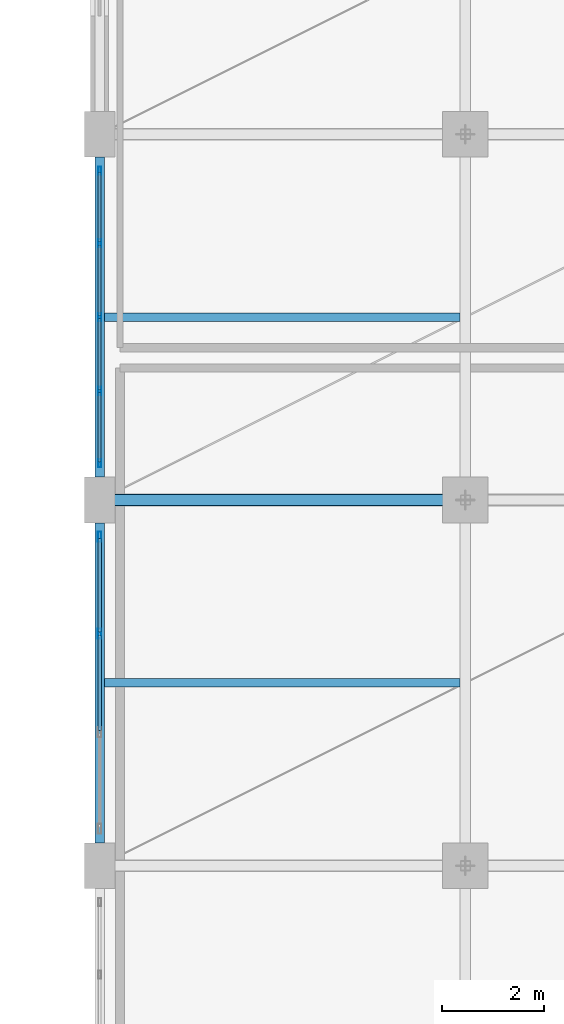
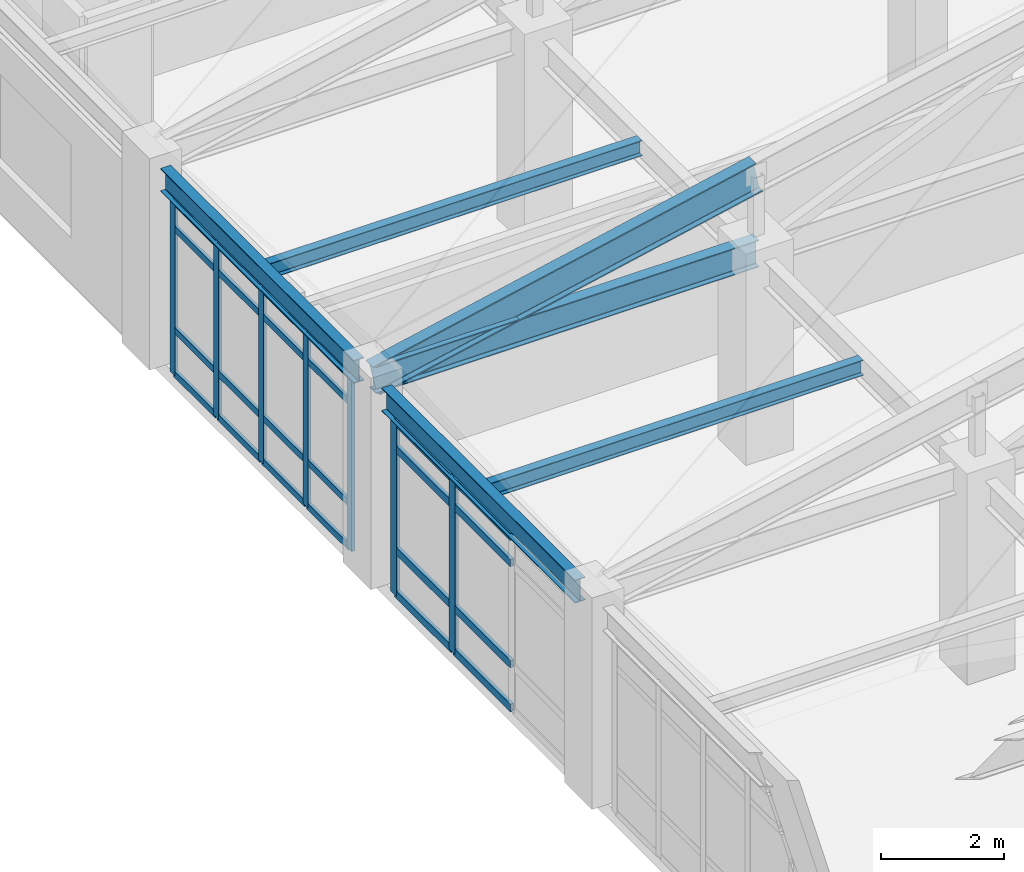
# One storey, part 31 of 113: 32 members, 5 beams, 2 elements without a shape of their own.
"""IFC4 building model written with IfcOpenShell, lengths in metres."""

import ifcopenshell
import ifcopenshell.guid

model = None  # the IFC model being written
_history = None  # IfcOwnerHistory: only IFC2X3 demands one
_inside = {}  # id of a spatial element -> (the spatial element, [elements in it])
_under = {}  # id of a project, library or spatial element -> (it, [spatial elements below it])
_declared = {}  # id of a project -> (the project, [libraries it declares])
_typed = {}  # id of a type object -> (the type object, [elements of that type])
_made_of = {}  # id of a material, layer set ... -> (it, [elements and type objects made of it])


def new_model(schema):
    """Start an empty IFC model of exactly this schema.

    Asked for "IFC4X3", IfcOpenShell would pick the latest addendum, in which some entities
    have other attributes; the version numbers below select the first issue.
    IFC2X3 requires an IfcOwnerHistory on every rooted entity: one is made here for all.
    """
    global model, _history
    if schema == "IFC4X3":
        model = ifcopenshell.file(schema_version=(4, 3, 0, 0))
    else:
        model = ifcopenshell.file(schema=schema)
    _inside.clear()
    _under.clear()
    _declared.clear()
    _typed.clear()
    _made_of.clear()
    _history = None
    if model.schema == "IFC2X3":
        org = make("IfcOrganization", Name="unknown")
        user = make(
            "IfcPersonAndOrganization",
            ThePerson=make("IfcPerson", FamilyName="unknown"),
            TheOrganization=org,
        )
        app = make(
            "IfcApplication",
            ApplicationDeveloper=org,
            Version="unknown",
            ApplicationFullName="unknown",
            ApplicationIdentifier="unknown",
        )
        _history = make(
            "IfcOwnerHistory",
            OwningUser=user,
            OwningApplication=app,
            ChangeAction="ADDED",
            CreationDate=0,
        )
    return model


def make(cls, **values):
    """One entity of the class cls with the attributes given. An attribute that is None is left unset."""
    return model.create_entity(
        cls, **{name: value for name, value in values.items() if value is not None}
    )


def rooted(cls, **values):
    """An entity with a GlobalId (a new one), such as an element, a storey or a relation."""
    return make(cls, GlobalId=ifcopenshell.guid.new(), OwnerHistory=_history, **values)


def si_unit(unit_type, name, prefix=None):
    """IfcSIUnit, for example si_unit("LENGTHUNIT", "METRE", prefix="MILLI")."""
    return make("IfcSIUnit", UnitType=unit_type, Prefix=prefix, Name=name)


def assignment(units):
    """IfcUnitAssignment: the units of a project."""
    return None if units is None else make("IfcUnitAssignment", Units=units)


def point(xyz):
    """IfcCartesianPoint."""
    return None if xyz is None else make("IfcCartesianPoint", Coordinates=xyz)


def direction(xyz):
    """IfcDirection."""
    return None if xyz is None else make("IfcDirection", DirectionRatios=xyz)


def frame(location, z_axis=None, x_axis=None):
    """IfcAxis2Placement3D, a coordinate frame: its origin and axes. An axis left out is left unset."""
    return make(
        "IfcAxis2Placement3D",
        Location=point(location),
        Axis=direction(z_axis),
        RefDirection=direction(x_axis),
    )


def frame_2d(location, x_axis=None):
    """IfcAxis2Placement2D, a coordinate frame in the plane: its origin and x axis."""
    return make(
        "IfcAxis2Placement2D", Location=point(location), RefDirection=direction(x_axis)
    )


def origin():
    """The frame at (0, 0, 0) with its axes left unset."""
    return frame((0.0, 0.0, 0.0))


def origin_2d():
    """The frame at (0, 0) in the plane with its x axis left unset."""
    return frame_2d((0.0, 0.0))


def place(relative_to, where):
    """IfcLocalPlacement: puts the frame where relative to a parent placement (None: the world)."""
    return make(
        "IfcLocalPlacement", PlacementRelTo=relative_to, RelativePlacement=where
    )


def context(
    kind, dimensions, precision=None, world=None, true_north=None, identifier=None
):
    """IfcGeometricRepresentationContext, for example the 3D "Model" context."""
    return make(
        "IfcGeometricRepresentationContext",
        ContextIdentifier=identifier,
        ContextType=kind,
        CoordinateSpaceDimension=dimensions,
        Precision=precision,
        WorldCoordinateSystem=world,
        TrueNorth=true_north,
    )


def subcontext(parent, identifier, kind, view, scale=None):
    """IfcGeometricRepresentationSubContext, for example "Body" below "Model"."""
    return make(
        "IfcGeometricRepresentationSubContext",
        ContextIdentifier=identifier,
        ContextType=kind,
        ParentContext=parent,
        TargetScale=scale,
        TargetView=view,
    )


def project(units=None, contexts=None):
    """IfcProject with its units and contexts."""
    return rooted(
        "IfcProject",
        Name="project",
        RepresentationContexts=contexts,
        UnitsInContext=assignment(units),
    )


def spatial(cls, under=None, at=None, **own):
    """A site, building, storey or space (cls), placed at a placement, below another one or the project."""
    s = rooted(cls, ObjectPlacement=at, **own)
    if under is not None:
        _under.setdefault(under.id(), (under, []))[1].append(s)
    return s


def profile(cls, at=None, kind="AREA", **sizes):
    """A parametric profile (cls). Its sizes go by their IFC names, for example OverallWidth=200.0."""
    return make(cls, ProfileType=kind, Position=at, **sizes)


def hollow_rectangle(**sizes):
    """IfcRectangleHollowProfileDef."""
    return profile("IfcRectangleHollowProfileDef", **sizes)


def i_section(**sizes):
    """IfcIShapeProfileDef."""
    return profile("IfcIShapeProfileDef", **sizes)


def extrude(swept, where, along, depth):
    """IfcExtrudedAreaSolid: the profile swept, set in the frame where, extruded along a direction by depth."""
    return make(
        "IfcExtrudedAreaSolid",
        SweptArea=swept,
        Position=where,
        ExtrudedDirection=direction(along),
        Depth=depth,
    )


def shape(context_of_items, identifier, shape_type, items):
    """IfcShapeRepresentation: the items that make up one representation, for example the "Body"."""
    return make(
        "IfcShapeRepresentation",
        ContextOfItems=context_of_items,
        RepresentationIdentifier=identifier,
        RepresentationType=shape_type,
        Items=items,
    )


def material(Name=None, Category=None):
    """IfcMaterial."""
    return make("IfcMaterial", Name=Name, Category=Category)


def layer(
    of_material, thickness, ventilated=None, Name=None, Category=None, Priority=None
):
    """IfcMaterialLayer: one layer of a wall or slab, of a material (None: an air gap)."""
    return make(
        "IfcMaterialLayer",
        Material=of_material,
        LayerThickness=thickness,
        IsVentilated=ventilated,
        Name=Name,
        Category=Category,
        Priority=Priority,
    )


def layer_set(layers, Name=None):
    """IfcMaterialLayerSet."""
    return make("IfcMaterialLayerSet", MaterialLayers=layers, LayerSetName=Name)


def material_profile(
    of_material, cross_section, Name=None, Category=None, Priority=None
):
    """IfcMaterialProfile: a cross section and its material."""
    return make(
        "IfcMaterialProfile",
        Name=Name,
        Material=of_material,
        Profile=cross_section,
        Priority=Priority,
        Category=Category,
    )


def profile_set(profiles, Name=None, composite=None):
    """IfcMaterialProfileSet."""
    return make(
        "IfcMaterialProfileSet",
        Name=Name,
        MaterialProfiles=profiles,
        CompositeProfile=composite,
    )


def made_of(thing, what):
    """Note that an element or type object is made of a material, layer set ...; save() writes the relation."""
    if what is not None:
        _made_of.setdefault(what.id(), (what, []))[1].append(thing)
    return thing


def type_object(cls, material=None, **own):
    """A type object (cls), such as IfcWallType, which elements share."""
    return made_of(rooted(cls, **own), material)


def element(
    cls,
    number,
    at=None,
    inside=None,
    cuts=None,
    type_object=None,
    material=None,
    context=None,
    identifier="Body",
    shape_type=None,
    held_by="IfcProductDefinitionShape",
    body=None,
    shapes=None,
    **own,
):
    """One element of the class cls, such as IfcWall. Its Tag is "e" and its number.

    at: its placement. inside: the storey or other place that contains it. cuts: it is an
    opening in that element (IfcRelVoidsElement). A single representation is given by context,
    identifier, shape_type and body (its items); several are given by shapes. held_by: the class
    of the entity that holds the representations. save() writes the other relations.
    """
    e = rooted(cls, Tag="e%d" % number, ObjectPlacement=at, **own)
    if body is not None:
        shapes = [shape(context, identifier, shape_type, body)]
    if shapes is not None:
        e.Representation = make(held_by, Representations=shapes)
    if inside is not None:
        _inside.setdefault(inside.id(), (inside, []))[1].append(e)
    if cuts is not None:
        rooted(
            "IfcRelVoidsElement", RelatingBuildingElement=cuts, RelatedOpeningElement=e
        )
    if type_object is not None:
        _typed.setdefault(type_object.id(), (type_object, []))[1].append(e)
    return made_of(e, material)


def aggregate(whole, parts):
    """IfcRelAggregates: a whole, such as a stair, and the parts it consists of."""
    return rooted("IfcRelAggregates", RelatingObject=whole, RelatedObjects=parts)


def save(model, path):
    """Write the relations noted so far, then the file.

    IfcRelAggregates (storeys below a building ...), IfcRelContainedInSpatialStructure (elements
    in a storey), IfcRelDefinesByType, IfcRelAssociatesMaterial and IfcRelDeclares: one each for
    every whole, place, type object, material and project.
    """
    for whole, parts in _under.values():
        aggregate(whole, parts)
    for where, things in _inside.values():
        rooted(
            "IfcRelContainedInSpatialStructure",
            RelatedElements=things,
            RelatingStructure=where,
        )
    for kind, things in _typed.values():
        rooted("IfcRelDefinesByType", RelatedObjects=things, RelatingType=kind)
    for what, things in _made_of.values():
        rooted("IfcRelAssociatesMaterial", RelatedObjects=things, RelatingMaterial=what)
    for by, libraries in _declared.values():
        rooted("IfcRelDeclares", RelatingContext=by, RelatedDefinitions=libraries)
    model.write(path)


model = new_model("IFC4")

# Units and contexts
model_context = context("Model", 3, precision=1e-05, world=origin(), true_north=direction((0.0, 1.0)))
body_context = subcontext(model_context, "Body", "Model", "MODEL_VIEW")
ifc_project = project(units=[si_unit("LENGTHUNIT", "METRE"), si_unit("AREAUNIT", "SQUARE_METRE"), si_unit("VOLUMEUNIT", "CUBIC_METRE"), si_unit("PLANEANGLEUNIT", "RADIAN"), si_unit("MASSUNIT", "GRAM", prefix="KILO")], contexts=[model_context])

# Site, building, storey
site_placement = place(None, origin())
site = spatial("IfcSite", under=ifc_project, at=site_placement, CompositionType="ELEMENT")
building_placement = place(site_placement, origin())
building = spatial("IfcBuilding", under=site, at=building_placement, Name="Carrowvane Square Congress Hotel", CompositionType="ELEMENT")
storey_placement = place(building_placement, frame((0.0, 0.0, 15.0)))
storey = spatial("IfcBuildingStorey", under=building, at=storey_placement, Name="L03", CompositionType="ELEMENT", Elevation=15.0)

# Beams
ifc_material_1 = material(Name="Steel S355", Category="steel")
ifc_material_profile_1 = material_profile(ifc_material_1, i_section(OverallWidth=0.165771484375, OverallDepth=0.306640625, WebThickness=0.006591796875, FlangeThickness=0.01171875, FilletRadius=0.0087890625, at=origin_2d()), Name="UKB 305x165x46")
ifc_profile_set_1 = profile_set([ifc_material_profile_1], Name="Steel S355")
beam_type_1 = type_object("IfcBeamType", Name="BM-ST-UKB305", PredefinedType="JOIST", material=ifc_profile_set_1)
for number, where, z_axis, x_axis, name in (
    (1, (134.095703125, 37.800048828125, 3.78662109375), (1.0, 0.0, 0.0), (0.0, 1.0, 0.0), "L04 secondary joist 18-19"),
    (2, (134.095703125, 45.0, 3.78662109375), (1.0, 0.0, 0.0), (0.0, 1.0, 0.0), "L04 secondary joist 18-19"),
):
    element("IfcBeam", number, at=place(storey_placement, frame(where, z_axis=z_axis, x_axis=x_axis)), inside=storey, type_object=beam_type_1, Name=name, PredefinedType="JOIST", context=body_context, shape_type="SweptSolid", body=[
        extrude(i_section(OverallWidth=0.165771484375, OverallDepth=0.306640625, WebThickness=0.006591796875, FlangeThickness=0.01171875, FilletRadius=0.0087890625, at=origin_2d()), origin(), (0.0, 0.0, 1.0), 6.999267578125),
    ])
ifc_material_2 = material(Name="Steel S355", Category="steel")
ifc_material_profile_2 = material_profile(ifc_material_2, i_section(OverallWidth=0.19140625, OverallDepth=0.4599609375, WebThickness=0.010009765625, FlangeThickness=0.01611328125, FilletRadius=0.01025390625, at=origin_2d()), Name="UKB 457x191x82")
ifc_profile_set_2 = profile_set([ifc_material_profile_2], Name="Steel S355")
beam_type_2 = type_object("IfcBeamType", Name="BM-ST-UKB457", PredefinedType="SPANDREL", material=ifc_profile_set_2)
beam_1_placement = place(storey_placement, frame((134.0, 34.64990234375, 3.7099609375), z_axis=(0.0, 1.0, 0.0), x_axis=(-1.0, 0.0, 0.0)))
element("IfcBeam", 3, at=beam_1_placement, inside=storey, type_object=beam_type_2, Name="L04 girder 18/E-F", PredefinedType="SPANDREL", context=body_context, shape_type="SweptSolid", body=[
    extrude(i_section(OverallWidth=0.19140625, OverallDepth=0.4599609375, WebThickness=0.010009765625, FlangeThickness=0.01611328125, FilletRadius=0.01025390625, at=origin_2d()), origin(), (0.0, 0.0, 1.0), 6.300048828125),
])
beam_2_placement = place(storey_placement, frame((134.0, 41.85009765625, 3.7099609375), z_axis=(0.0, 1.0, 0.0), x_axis=(-1.0, 0.0, 0.0)))
element("IfcBeam", 4, at=beam_2_placement, inside=storey, type_object=beam_type_2, Name="L04 girder 18/F-G", PredefinedType="SPANDREL", context=body_context, shape_type="SweptSolid", body=[
    extrude(i_section(OverallWidth=0.19140625, OverallDepth=0.4599609375, WebThickness=0.010009765625, FlangeThickness=0.01611328125, FilletRadius=0.01025390625, at=origin_2d()), origin(), (0.0, 0.0, 1.0), 6.2998046875),
])
ifc_material_3 = material(Name="Steel S355", Category="steel")
ifc_material_profile_3 = material_profile(ifc_material_3, i_section(OverallWidth=0.2099609375, OverallDepth=0.53662109375, WebThickness=0.0107421875, FlangeThickness=0.017333984375, FilletRadius=0.0126953125, at=origin_2d()), Name="UKB 533x210x101")
ifc_profile_set_3 = profile_set([ifc_material_profile_3], Name="Steel S355")
beam_type_3 = type_object("IfcBeamType", Name="BM-ST-UKB533", PredefinedType="USERDEFINED", material=ifc_profile_set_3)
beam_3_placement = place(storey_placement, frame((134.0, 41.39990234375, 3.85009765625), z_axis=(1.0, 0.0, 0.0), x_axis=(0.0, 1.0, 0.0)))
element("IfcBeam", 5, at=beam_3_placement, inside=storey, type_object=beam_type_3, Name="V2 pavilion truss west tie girder 5", ObjectType="GIRDER", PredefinedType="USERDEFINED", context=body_context, shape_type="SweptSolid", body=[
    extrude(i_section(OverallWidth=0.2099609375, OverallDepth=0.53662109375, WebThickness=0.0107421875, FlangeThickness=0.017333984375, FilletRadius=0.0126953125, at=origin_2d()), origin(), (0.0, 0.0, 1.0), 7.199951171875),
])

# Curtain wall, members
ifc_material_4 = material(Name="Anodised aluminium", Category="aluminium")
ifc_layer_1 = layer(ifc_material_4, 0.23388671875)
ifc_layer_set_1 = layer_set([ifc_layer_1], Name="Anodised aluminium")
curtain_wall_type_1 = type_object("IfcCurtainWallType", Name="CW-SYS-7", PredefinedType="NOTDEFINED", material=ifc_layer_set_1)
curtain_wall_1_placement = place(storey_placement, origin())
curtain_wall_1 = element("IfcCurtainWall", 6, at=curtain_wall_1_placement, inside=storey, type_object=curtain_wall_type_1, Name="L03 unitised curtain wall 246", PredefinedType="NOTDEFINED")
ifc_material_5 = material(Name="Anodised aluminium", Category="aluminium")
ifc_material_profile_4 = material_profile(ifc_material_5, hollow_rectangle(XDim=0.06005859375, YDim=0.159912109375, WallThickness=0.00390625, at=origin_2d()), Name="CW-ML 60x160x4")
ifc_profile_set_4 = profile_set([ifc_material_profile_4], Name="Anodised aluminium")
member_type_1 = type_object("IfcMemberType", Name="CW-MUL-1", PredefinedType="MULLION", material=ifc_profile_set_4)
member_1_placement = place(storey_placement, frame((134.0, 42.1201171875, 0.0), z_axis=(0.0, 0.0, 1.0), x_axis=(-1.0, 0.0, 0.0)))
member_1 = element("IfcMember", 7, at=member_1_placement, type_object=member_type_1, Name="CW-7 mullion 1", PredefinedType="MULLION", context=body_context, shape_type="SweptSolid", body=[
    extrude(hollow_rectangle(XDim=0.06005859375, YDim=0.159912109375, WallThickness=0.00390625, at=origin_2d()), origin(), (0.0, 0.0, 1.0), 3.465087890625),
])
member_2_placement = place(storey_placement, frame((134.0, 43.544921875, 0.0), z_axis=(0.0, 0.0, 1.0), x_axis=(-1.0, 0.0, 0.0)))
member_2 = element("IfcMember", 8, at=member_2_placement, type_object=member_type_1, Name="CW-7 mullion 2", PredefinedType="MULLION", context=body_context, shape_type="SweptSolid", body=[
    extrude(hollow_rectangle(XDim=0.06005859375, YDim=0.159912109375, WallThickness=0.00390625, at=origin_2d()), origin(), (0.0, 0.0, 1.0), 3.465087890625),
])
member_3_placement = place(storey_placement, frame((134.0, 45.0, 0.0), z_axis=(0.0, 0.0, 1.0), x_axis=(-1.0, 0.0, 0.0)))
member_3 = element("IfcMember", 9, at=member_3_placement, type_object=member_type_1, Name="CW-7 mullion 3", PredefinedType="MULLION", context=body_context, shape_type="SweptSolid", body=[
    extrude(hollow_rectangle(XDim=0.06005859375, YDim=0.159912109375, WallThickness=0.00390625, at=origin_2d()), origin(), (0.0, 0.0, 1.0), 3.465087890625),
])
member_4_placement = place(storey_placement, frame((134.0, 46.455078125, 0.0), z_axis=(0.0, 0.0, 1.0), x_axis=(-1.0, 0.0, 0.0)))
member_4 = element("IfcMember", 10, at=member_4_placement, type_object=member_type_1, Name="CW-7 mullion 4", PredefinedType="MULLION", context=body_context, shape_type="SweptSolid", body=[
    extrude(hollow_rectangle(XDim=0.06005859375, YDim=0.159912109375, WallThickness=0.00390625, at=origin_2d()), origin(), (0.0, 0.0, 1.0), 3.465087890625),
])
member_5_placement = place(storey_placement, frame((134.0, 47.8798828125, 0.0), z_axis=(0.0, 0.0, 1.0), x_axis=(-1.0, 0.0, 0.0)))
member_5 = element("IfcMember", 11, at=member_5_placement, type_object=member_type_1, Name="CW-7 mullion 5", PredefinedType="MULLION", context=body_context, shape_type="SweptSolid", body=[
    extrude(hollow_rectangle(XDim=0.06005859375, YDim=0.159912109375, WallThickness=0.00390625, at=origin_2d()), origin(), (0.0, 0.0, 1.0), 3.465087890625),
])

ifc_material_6 = material(Name="Anodised aluminium", Category="aluminium")
ifc_layer_2 = layer(ifc_material_6, 0.221923828125)
ifc_layer_set_2 = layer_set([ifc_layer_2], Name="Anodised aluminium")
curtain_wall_type_2 = type_object("IfcCurtainWallType", Name="CW-SYS-6", PredefinedType="NOTDEFINED", material=ifc_layer_set_2)
curtain_wall_2_placement = place(storey_placement, origin())
curtain_wall_2 = element("IfcCurtainWall", 12, at=curtain_wall_2_placement, inside=storey, type_object=curtain_wall_type_2, Name="L03 unitised curtain wall 245", PredefinedType="NOTDEFINED")
ifc_material_7 = material(Name="Anodised aluminium", Category="aluminium")
ifc_material_profile_5 = material_profile(ifc_material_7, hollow_rectangle(XDim=0.070068359375, YDim=0.199951171875, WallThickness=0.0048828125, at=origin_2d()), Name="CW-ML 70x200x5")
ifc_profile_set_5 = profile_set([ifc_material_profile_5], Name="Anodised aluminium")
member_type_2 = type_object("IfcMemberType", Name="CW-MUL-2", PredefinedType="MULLION", material=ifc_profile_set_5)
member_6_placement = place(storey_placement, frame((134.0, 38.77001953125, 0.0), z_axis=(0.0, 0.0, 1.0), x_axis=(-1.0, 0.0, 0.0)))
member_6 = element("IfcMember", 13, at=member_6_placement, type_object=member_type_2, Name="CW-6 mullion 3", PredefinedType="MULLION", context=body_context, shape_type="SweptSolid", body=[
    extrude(hollow_rectangle(XDim=0.070068359375, YDim=0.199951171875, WallThickness=0.0048828125, at=origin_2d()), origin(), (0.0, 0.0, 1.0), 3.465087890625),
])
member_7_placement = place(storey_placement, frame((134.0, 40.675048828125, 0.0), z_axis=(0.0, 0.0, 1.0), x_axis=(-1.0, 0.0, 0.0)))
member_7 = element("IfcMember", 14, at=member_7_placement, type_object=member_type_2, Name="CW-6 mullion 4", PredefinedType="MULLION", context=body_context, shape_type="SweptSolid", body=[
    extrude(hollow_rectangle(XDim=0.070068359375, YDim=0.199951171875, WallThickness=0.0048828125, at=origin_2d()), origin(), (0.0, 0.0, 1.0), 3.465087890625),
])

# Member
ifc_material_8 = material(Name="Anodised aluminium", Category="aluminium")
ifc_material_profile_6 = material_profile(ifc_material_8, hollow_rectangle(XDim=0.06005859375, YDim=0.1298828125, WallThickness=0.00390625, at=origin_2d()), Name="CW-TR 60x130x4")
ifc_profile_set_6 = profile_set([ifc_material_profile_6], Name="Anodised aluminium")
member_type_3 = type_object("IfcMemberType", Name="CW-TRN-1", PredefinedType="USERDEFINED", material=ifc_profile_set_6)
member_8_placement = place(storey_placement, frame((134.0, 42.14990234375, 0.030029296875), z_axis=(0.0, 1.0, 0.0), x_axis=(-1.0, 0.0, 0.0)))
member_8 = element("IfcMember", 15, at=member_8_placement, type_object=member_type_3, Name="CW-7 transom 1.1", ObjectType="TRANSOM", PredefinedType="USERDEFINED", context=body_context, shape_type="SweptSolid", body=[
    extrude(hollow_rectangle(XDim=0.06005859375, YDim=0.1298828125, WallThickness=0.00390625, at=origin_2d()), origin(), (0.0, 0.0, 1.0), 1.364990234375),
])

member_9_placement = place(storey_placement, frame((134.0, 42.14990234375, 0.89990234375), z_axis=(0.0, 1.0, 0.0), x_axis=(-1.0, 0.0, 0.0)))
member_9 = element("IfcMember", 16, at=member_9_placement, type_object=member_type_3, Name="CW-7 transom 1.2", ObjectType="TRANSOM", PredefinedType="USERDEFINED", context=body_context, shape_type="SweptSolid", body=[
    extrude(hollow_rectangle(XDim=0.06005859375, YDim=0.1298828125, WallThickness=0.00390625, at=origin_2d()), origin(), (0.0, 0.0, 1.0), 1.364990234375),
])

member_10_placement = place(storey_placement, frame((134.0, 42.14990234375, 2.9150390625), z_axis=(0.0, 1.0, 0.0), x_axis=(-1.0, 0.0, 0.0)))
member_10 = element("IfcMember", 17, at=member_10_placement, type_object=member_type_3, Name="CW-7 transom 1.3", ObjectType="TRANSOM", PredefinedType="USERDEFINED", context=body_context, shape_type="SweptSolid", body=[
    extrude(hollow_rectangle(XDim=0.06005859375, YDim=0.1298828125, WallThickness=0.00390625, at=origin_2d()), origin(), (0.0, 0.0, 1.0), 1.364990234375),
])

member_11_placement = place(storey_placement, frame((134.0, 42.14990234375, 3.43505859375), z_axis=(0.0, 1.0, 0.0), x_axis=(-1.0, 0.0, 0.0)))
member_11 = element("IfcMember", 18, at=member_11_placement, type_object=member_type_3, Name="CW-7 transom 1.4", ObjectType="TRANSOM", PredefinedType="USERDEFINED", context=body_context, shape_type="SweptSolid", body=[
    extrude(hollow_rectangle(XDim=0.06005859375, YDim=0.1298828125, WallThickness=0.00390625, at=origin_2d()), origin(), (0.0, 0.0, 1.0), 1.364990234375),
])

member_12_placement = place(storey_placement, frame((134.0, 43.574951171875, 0.030029296875), z_axis=(0.0, 1.0, 0.0), x_axis=(-1.0, 0.0, 0.0)))
member_12 = element("IfcMember", 19, at=member_12_placement, type_object=member_type_3, Name="CW-7 transom 2.1", ObjectType="TRANSOM", PredefinedType="USERDEFINED", context=body_context, shape_type="SweptSolid", body=[
    extrude(hollow_rectangle(XDim=0.06005859375, YDim=0.1298828125, WallThickness=0.00390625, at=origin_2d()), origin(), (0.0, 0.0, 1.0), 1.39501953125),
])

member_13_placement = place(storey_placement, frame((134.0, 43.574951171875, 0.89990234375), z_axis=(0.0, 1.0, 0.0), x_axis=(-1.0, 0.0, 0.0)))
member_13 = element("IfcMember", 20, at=member_13_placement, type_object=member_type_3, Name="CW-7 transom 2.2", ObjectType="TRANSOM", PredefinedType="USERDEFINED", context=body_context, shape_type="SweptSolid", body=[
    extrude(hollow_rectangle(XDim=0.06005859375, YDim=0.1298828125, WallThickness=0.00390625, at=origin_2d()), origin(), (0.0, 0.0, 1.0), 1.39501953125),
])

member_14_placement = place(storey_placement, frame((134.0, 43.574951171875, 2.9150390625), z_axis=(0.0, 1.0, 0.0), x_axis=(-1.0, 0.0, 0.0)))
member_14 = element("IfcMember", 21, at=member_14_placement, type_object=member_type_3, Name="CW-7 transom 2.3", ObjectType="TRANSOM", PredefinedType="USERDEFINED", context=body_context, shape_type="SweptSolid", body=[
    extrude(hollow_rectangle(XDim=0.06005859375, YDim=0.1298828125, WallThickness=0.00390625, at=origin_2d()), origin(), (0.0, 0.0, 1.0), 1.39501953125),
])

member_15_placement = place(storey_placement, frame((134.0, 43.574951171875, 3.43505859375), z_axis=(0.0, 1.0, 0.0), x_axis=(-1.0, 0.0, 0.0)))
member_15 = element("IfcMember", 22, at=member_15_placement, type_object=member_type_3, Name="CW-7 transom 2.4", ObjectType="TRANSOM", PredefinedType="USERDEFINED", context=body_context, shape_type="SweptSolid", body=[
    extrude(hollow_rectangle(XDim=0.06005859375, YDim=0.1298828125, WallThickness=0.00390625, at=origin_2d()), origin(), (0.0, 0.0, 1.0), 1.39501953125),
])

member_16_placement = place(storey_placement, frame((134.0, 45.030029296875, 0.030029296875), z_axis=(0.0, 1.0, 0.0), x_axis=(-1.0, 0.0, 0.0)))
member_16 = element("IfcMember", 23, at=member_16_placement, type_object=member_type_3, Name="CW-7 transom 3.1", ObjectType="TRANSOM", PredefinedType="USERDEFINED", context=body_context, shape_type="SweptSolid", body=[
    extrude(hollow_rectangle(XDim=0.06005859375, YDim=0.1298828125, WallThickness=0.00390625, at=origin_2d()), origin(), (0.0, 0.0, 1.0), 1.39501953125),
])

member_17_placement = place(storey_placement, frame((134.0, 45.030029296875, 0.89990234375), z_axis=(0.0, 1.0, 0.0), x_axis=(-1.0, 0.0, 0.0)))
member_17 = element("IfcMember", 24, at=member_17_placement, type_object=member_type_3, Name="CW-7 transom 3.2", ObjectType="TRANSOM", PredefinedType="USERDEFINED", context=body_context, shape_type="SweptSolid", body=[
    extrude(hollow_rectangle(XDim=0.06005859375, YDim=0.1298828125, WallThickness=0.00390625, at=origin_2d()), origin(), (0.0, 0.0, 1.0), 1.39501953125),
])

member_18_placement = place(storey_placement, frame((134.0, 45.030029296875, 2.9150390625), z_axis=(0.0, 1.0, 0.0), x_axis=(-1.0, 0.0, 0.0)))
member_18 = element("IfcMember", 25, at=member_18_placement, type_object=member_type_3, Name="CW-7 transom 3.3", ObjectType="TRANSOM", PredefinedType="USERDEFINED", context=body_context, shape_type="SweptSolid", body=[
    extrude(hollow_rectangle(XDim=0.06005859375, YDim=0.1298828125, WallThickness=0.00390625, at=origin_2d()), origin(), (0.0, 0.0, 1.0), 1.39501953125),
])

member_19_placement = place(storey_placement, frame((134.0, 45.030029296875, 3.43505859375), z_axis=(0.0, 1.0, 0.0), x_axis=(-1.0, 0.0, 0.0)))
member_19 = element("IfcMember", 26, at=member_19_placement, type_object=member_type_3, Name="CW-7 transom 3.4", ObjectType="TRANSOM", PredefinedType="USERDEFINED", context=body_context, shape_type="SweptSolid", body=[
    extrude(hollow_rectangle(XDim=0.06005859375, YDim=0.1298828125, WallThickness=0.00390625, at=origin_2d()), origin(), (0.0, 0.0, 1.0), 1.39501953125),
])

member_20_placement = place(storey_placement, frame((134.0, 46.485107421875, 0.030029296875), z_axis=(0.0, 1.0, 0.0), x_axis=(-1.0, 0.0, 0.0)))
member_20 = element("IfcMember", 27, at=member_20_placement, type_object=member_type_3, Name="CW-7 transom 4.1", ObjectType="TRANSOM", PredefinedType="USERDEFINED", context=body_context, shape_type="SweptSolid", body=[
    extrude(hollow_rectangle(XDim=0.06005859375, YDim=0.1298828125, WallThickness=0.00390625, at=origin_2d()), origin(), (0.0, 0.0, 1.0), 1.364990234375),
])

member_21_placement = place(storey_placement, frame((134.0, 46.485107421875, 0.89990234375), z_axis=(0.0, 1.0, 0.0), x_axis=(-1.0, 0.0, 0.0)))
member_21 = element("IfcMember", 28, at=member_21_placement, type_object=member_type_3, Name="CW-7 transom 4.2", ObjectType="TRANSOM", PredefinedType="USERDEFINED", context=body_context, shape_type="SweptSolid", body=[
    extrude(hollow_rectangle(XDim=0.06005859375, YDim=0.1298828125, WallThickness=0.00390625, at=origin_2d()), origin(), (0.0, 0.0, 1.0), 1.364990234375),
])

member_22_placement = place(storey_placement, frame((134.0, 46.485107421875, 2.9150390625), z_axis=(0.0, 1.0, 0.0), x_axis=(-1.0, 0.0, 0.0)))
member_22 = element("IfcMember", 29, at=member_22_placement, type_object=member_type_3, Name="CW-7 transom 4.3", ObjectType="TRANSOM", PredefinedType="USERDEFINED", context=body_context, shape_type="SweptSolid", body=[
    extrude(hollow_rectangle(XDim=0.06005859375, YDim=0.1298828125, WallThickness=0.00390625, at=origin_2d()), origin(), (0.0, 0.0, 1.0), 1.364990234375),
])

member_23_placement = place(storey_placement, frame((134.0, 46.485107421875, 3.43505859375), z_axis=(0.0, 1.0, 0.0), x_axis=(-1.0, 0.0, 0.0)))
member_23 = element("IfcMember", 30, at=member_23_placement, type_object=member_type_3, Name="CW-7 transom 4.4", ObjectType="TRANSOM", PredefinedType="USERDEFINED", context=body_context, shape_type="SweptSolid", body=[
    extrude(hollow_rectangle(XDim=0.06005859375, YDim=0.1298828125, WallThickness=0.00390625, at=origin_2d()), origin(), (0.0, 0.0, 1.0), 1.364990234375),
])

aggregate(curtain_wall_1, [member_1, member_2, member_3, member_4, member_5, member_8, member_9, member_10, member_11, member_12, member_13, member_14, member_15, member_16, member_17, member_18, member_19, member_20, member_21, member_22, member_23])

ifc_material_9 = material(Name="Anodised aluminium", Category="aluminium")
ifc_material_profile_7 = material_profile(ifc_material_9, hollow_rectangle(XDim=0.070068359375, YDim=0.14990234375, WallThickness=0.0048828125, at=origin_2d()), Name="CW-TR 70x150x5")
ifc_profile_set_7 = profile_set([ifc_material_profile_7], Name="Anodised aluminium")
member_type_4 = type_object("IfcMemberType", Name="CW-TRN-2", PredefinedType="USERDEFINED", material=ifc_profile_set_7)
member_24_placement = place(storey_placement, frame((134.0, 36.864990234375, 0.034912109375), z_axis=(0.0, 1.0, 0.0), x_axis=(-1.0, 0.0, 0.0)))
member_24 = element("IfcMember", 31, at=member_24_placement, type_object=member_type_4, Name="CW-6 transom 2.1", ObjectType="TRANSOM", PredefinedType="USERDEFINED", context=body_context, shape_type="SweptSolid", body=[
    extrude(hollow_rectangle(XDim=0.070068359375, YDim=0.14990234375, WallThickness=0.0048828125, at=origin_2d()), origin(), (0.0, 0.0, 1.0), 1.8701171875),
])

member_25_placement = place(storey_placement, frame((134.0, 36.864990234375, 0.89990234375), z_axis=(0.0, 1.0, 0.0), x_axis=(-1.0, 0.0, 0.0)))
member_25 = element("IfcMember", 32, at=member_25_placement, type_object=member_type_4, Name="CW-6 transom 2.2", ObjectType="TRANSOM", PredefinedType="USERDEFINED", context=body_context, shape_type="SweptSolid", body=[
    extrude(hollow_rectangle(XDim=0.070068359375, YDim=0.14990234375, WallThickness=0.0048828125, at=origin_2d()), origin(), (0.0, 0.0, 1.0), 1.8701171875),
])

member_26_placement = place(storey_placement, frame((134.0, 36.864990234375, 2.9150390625), z_axis=(0.0, 1.0, 0.0), x_axis=(-1.0, 0.0, 0.0)))
member_26 = element("IfcMember", 33, at=member_26_placement, type_object=member_type_4, Name="CW-6 transom 2.3", ObjectType="TRANSOM", PredefinedType="USERDEFINED", context=body_context, shape_type="SweptSolid", body=[
    extrude(hollow_rectangle(XDim=0.070068359375, YDim=0.14990234375, WallThickness=0.0048828125, at=origin_2d()), origin(), (0.0, 0.0, 1.0), 1.8701171875),
])

member_27_placement = place(storey_placement, frame((134.0, 36.864990234375, 3.429931640625), z_axis=(0.0, 1.0, 0.0), x_axis=(-1.0, 0.0, 0.0)))
member_27 = element("IfcMember", 34, at=member_27_placement, type_object=member_type_4, Name="CW-6 transom 2.4", ObjectType="TRANSOM", PredefinedType="USERDEFINED", context=body_context, shape_type="SweptSolid", body=[
    extrude(hollow_rectangle(XDim=0.070068359375, YDim=0.14990234375, WallThickness=0.0048828125, at=origin_2d()), origin(), (0.0, 0.0, 1.0), 1.8701171875),
])

member_28_placement = place(storey_placement, frame((134.0, 38.804931640625, 0.034912109375), z_axis=(0.0, 1.0, 0.0), x_axis=(-1.0, 0.0, 0.0)))
member_28 = element("IfcMember", 35, at=member_28_placement, type_object=member_type_4, Name="CW-6 transom 3.1", ObjectType="TRANSOM", PredefinedType="USERDEFINED", context=body_context, shape_type="SweptSolid", body=[
    extrude(hollow_rectangle(XDim=0.070068359375, YDim=0.14990234375, WallThickness=0.0048828125, at=origin_2d()), origin(), (0.0, 0.0, 1.0), 1.8349609375),
])

member_29_placement = place(storey_placement, frame((134.0, 38.804931640625, 0.89990234375), z_axis=(0.0, 1.0, 0.0), x_axis=(-1.0, 0.0, 0.0)))
member_29 = element("IfcMember", 36, at=member_29_placement, type_object=member_type_4, Name="CW-6 transom 3.2", ObjectType="TRANSOM", PredefinedType="USERDEFINED", context=body_context, shape_type="SweptSolid", body=[
    extrude(hollow_rectangle(XDim=0.070068359375, YDim=0.14990234375, WallThickness=0.0048828125, at=origin_2d()), origin(), (0.0, 0.0, 1.0), 1.8349609375),
])

member_30_placement = place(storey_placement, frame((134.0, 38.804931640625, 2.9150390625), z_axis=(0.0, 1.0, 0.0), x_axis=(-1.0, 0.0, 0.0)))
member_30 = element("IfcMember", 37, at=member_30_placement, type_object=member_type_4, Name="CW-6 transom 3.3", ObjectType="TRANSOM", PredefinedType="USERDEFINED", context=body_context, shape_type="SweptSolid", body=[
    extrude(hollow_rectangle(XDim=0.070068359375, YDim=0.14990234375, WallThickness=0.0048828125, at=origin_2d()), origin(), (0.0, 0.0, 1.0), 1.8349609375),
])

member_31_placement = place(storey_placement, frame((134.0, 38.804931640625, 3.429931640625), z_axis=(0.0, 1.0, 0.0), x_axis=(-1.0, 0.0, 0.0)))
member_31 = element("IfcMember", 38, at=member_31_placement, type_object=member_type_4, Name="CW-6 transom 3.4", ObjectType="TRANSOM", PredefinedType="USERDEFINED", context=body_context, shape_type="SweptSolid", body=[
    extrude(hollow_rectangle(XDim=0.070068359375, YDim=0.14990234375, WallThickness=0.0048828125, at=origin_2d()), origin(), (0.0, 0.0, 1.0), 1.8349609375),
])

aggregate(curtain_wall_2, [member_6, member_7, member_24, member_25, member_26, member_27, member_28, member_29, member_30, member_31])

ifc_material_10 = material(Name="Steel S355", Category="steel")
ifc_material_profile_8 = material_profile(ifc_material_10, i_section(OverallWidth=0.230224609375, OverallDepth=0.6171875, WebThickness=0.01318359375, FlangeThickness=0.022216796875, FilletRadius=0.0126953125, at=origin_2d()), Name="UKB 610x229x140")
ifc_profile_set_8 = profile_set([ifc_material_profile_8], Name="Steel S355")
member_type_5 = type_object("IfcMemberType", Name="MEM-TC-UKB610", PredefinedType="CHORD", material=ifc_profile_set_8)
member_32_placement = place(storey_placement, frame((134.0, 41.39990234375, 3.840087890625), z_axis=(0.978151010745, 0.0, 0.207895647328), x_axis=(0.0, 1.0, 0.0)))
element("IfcMember", 39, at=member_32_placement, inside=storey, type_object=member_type_5, Name="V2 pavilion truss top chord 5.1", PredefinedType="CHORD", context=body_context, shape_type="SweptSolid", body=[
    extrude(i_section(OverallWidth=0.230224609375, OverallDepth=0.6171875, WebThickness=0.01318359375, FlangeThickness=0.022216796875, FilletRadius=0.0126953125, at=origin_2d()), origin(), (0.0, 0.0, 1.0), 7.36083984375),
])

save(model, "model.ifc")
